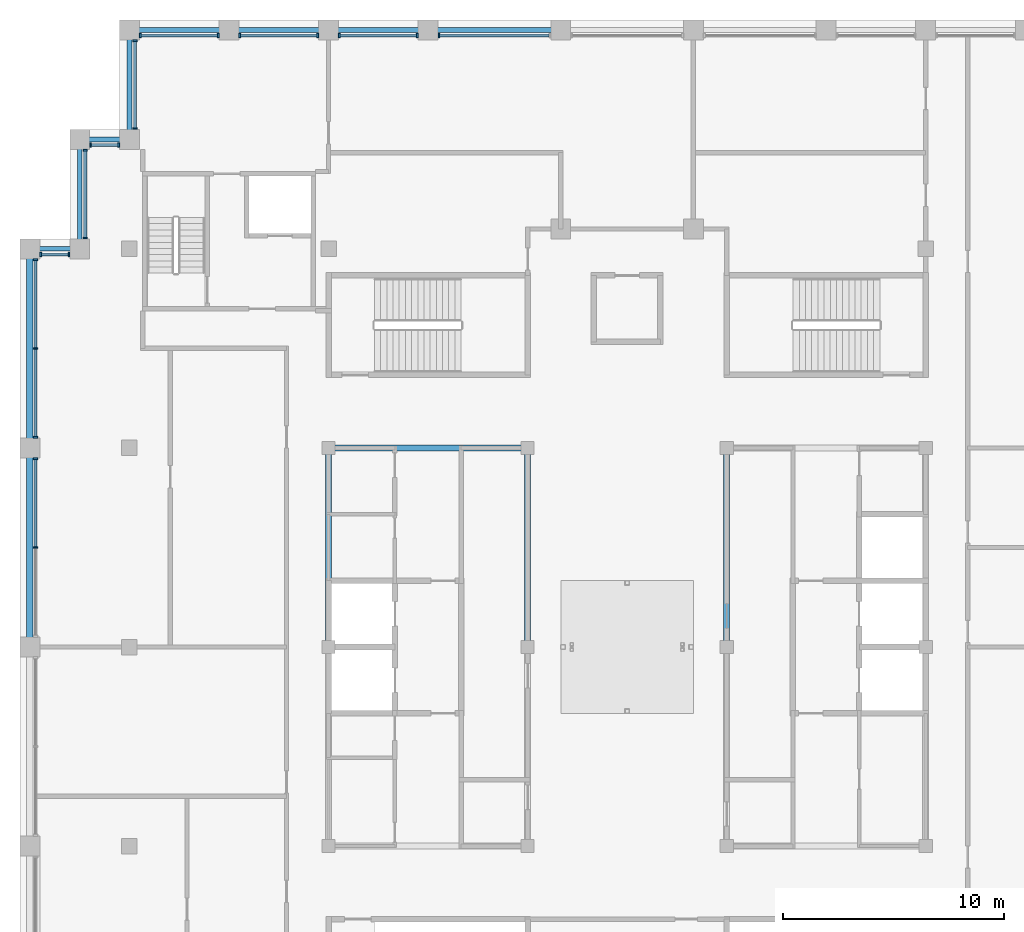
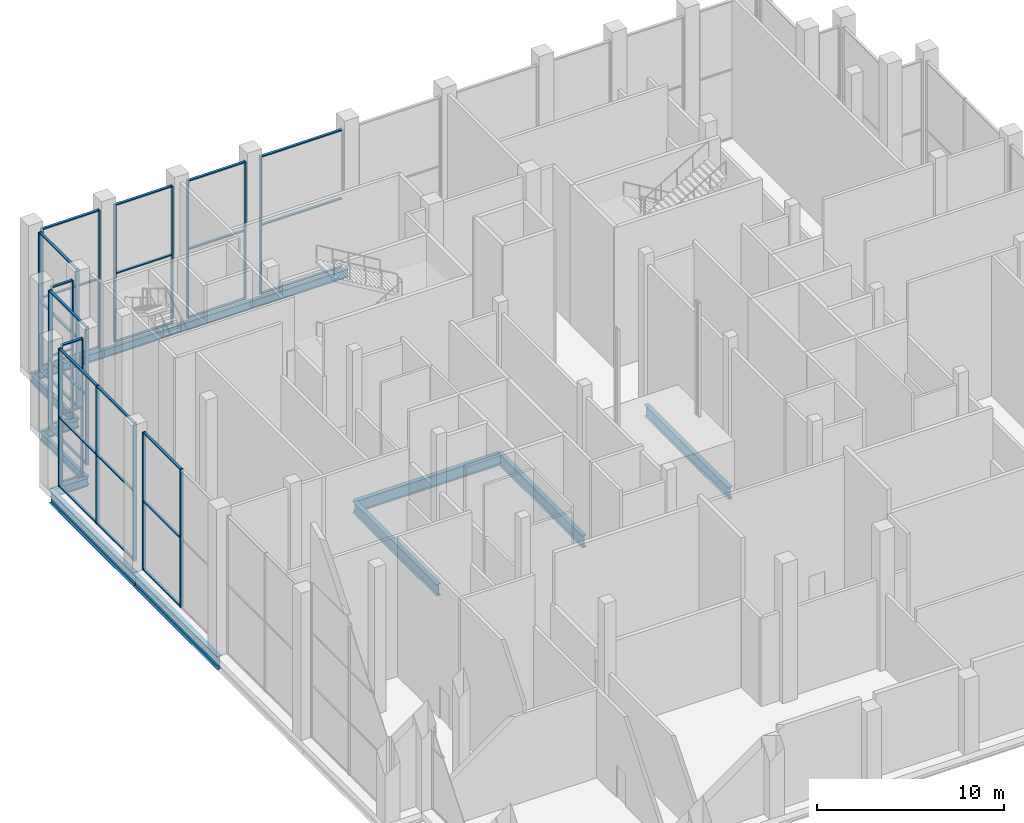
# One storey, part 5 of 16: 53 members, 14 beams, 10 elements without a shape of their own.
"""IFC4 building model written with IfcOpenShell, lengths in metres."""

from ifc_helpers import new_model, si_unit, direction, frame, origin, origin_2d, place, context, subcontext, project, spatial, rectangle, i_section, extrude, material, layer, layer_set, material_profile, profile_set, type_object, element, aggregate, save


model = new_model("IFC4")

# Units and contexts
model_context = context("Model", 3, precision=1e-05, world=origin(), true_north=direction((0.0, 1.0)))
body_context = subcontext(model_context, "Body", "Model", "MODEL_VIEW")
ifc_project = project(units=[si_unit("LENGTHUNIT", "METRE"), si_unit("AREAUNIT", "SQUARE_METRE"), si_unit("VOLUMEUNIT", "CUBIC_METRE"), si_unit("PLANEANGLEUNIT", "RADIAN"), si_unit("MASSUNIT", "GRAM", prefix="KILO")], contexts=[model_context])

# Site, building, storey
site_placement = place(None, origin())
site = spatial("IfcSite", under=ifc_project, at=site_placement, CompositionType="ELEMENT")
building_placement = place(site_placement, origin())
building = spatial("IfcBuilding", under=site, at=building_placement, Name="Corbelhall Arena Tower", CompositionType="ELEMENT")
storey_placement = place(building_placement, frame((0.0, 0.0, 366.0)))
storey = spatial("IfcBuildingStorey", under=building, at=storey_placement, Name="L80", CompositionType="ELEMENT", Elevation=366.0)

# Curtain wall, members
ifc_material_1 = material(Name="Aluminium black anodised", Category="aluminium")
ifc_layer = layer(ifc_material_1, 0.219970703125)
ifc_layer_set = layer_set([ifc_layer], Name="EV-CW2 Damper hall glazing")
curtain_wall_type = type_object("IfcCurtainWallType", Name="EV-CW2 Damper hall glazing", PredefinedType="NOTDEFINED", material=ifc_layer_set)
curtain_wall_1_placement = place(storey_placement, origin())
curtain_wall_1 = element("IfcCurtainWall", 1, at=curtain_wall_1_placement, inside=storey, type_object=curtain_wall_type, Name="Curtain wall CW2", PredefinedType="NOTDEFINED")
ifc_material_profile_1 = material_profile(ifc_material_1, rectangle(XDim=0.199951171875, YDim=0.074951171875, at=origin_2d()))
ifc_profile_set_1 = profile_set([ifc_material_profile_1], Name="Aluminium black anodised")
member_type_1 = type_object("IfcMemberType", Name="EV-CW2-MULLION", PredefinedType="MULLION", material=ifc_profile_set_1)
member_1_placement = place(storey_placement, frame((-24.5, 22.46240234375, 0.0), z_axis=(0.0, 0.0, 1.0), x_axis=(1.0, 0.0, 0.0)))
member_1 = element("IfcMember", 2, at=member_1_placement, type_object=member_type_1, Name="CW2 mullion 1", PredefinedType="MULLION", context=body_context, shape_type="SweptSolid", body=[
    extrude(rectangle(XDim=0.199951171875, YDim=0.074951171875, at=origin_2d()), origin(), (0.0, 0.0, 1.0), 8.99951171875),
])
member_2_placement = place(storey_placement, frame((-24.5, 18.487548828125, 0.0), z_axis=(0.0, 0.0, 1.0), x_axis=(1.0, 0.0, 0.0)))
member_2 = element("IfcMember", 3, at=member_2_placement, type_object=member_type_1, Name="CW2 mullion 2", PredefinedType="MULLION", context=body_context, shape_type="SweptSolid", body=[
    extrude(rectangle(XDim=0.199951171875, YDim=0.074951171875, at=origin_2d()), origin(), (0.0, 0.0, 1.0), 8.99951171875),
])

curtain_wall_2_placement = place(storey_placement, origin())
curtain_wall_2 = element("IfcCurtainWall", 4, at=curtain_wall_2_placement, inside=storey, type_object=curtain_wall_type, Name="Curtain wall CW2B", PredefinedType="NOTDEFINED")
member_3_placement = place(storey_placement, frame((-25.237548828125, 17.75, 0.0), z_axis=(0.0, 0.0, 1.0), x_axis=(0.0, -1.0, 0.0)))
member_3 = element("IfcMember", 5, at=member_3_placement, type_object=member_type_1, Name="CW2B mullion 1", PredefinedType="MULLION", context=body_context, shape_type="SweptSolid", body=[
    extrude(rectangle(XDim=0.199951171875, YDim=0.074951171875, at=origin_2d()), origin(), (0.0, 0.0, 1.0), 8.99951171875),
])
member_4_placement = place(storey_placement, frame((-26.512451171875, 17.75, 0.0), z_axis=(0.0, 0.0, 1.0), x_axis=(0.0, -1.0, 0.0)))
member_4 = element("IfcMember", 6, at=member_4_placement, type_object=member_type_1, Name="CW2B mullion 2", PredefinedType="MULLION", context=body_context, shape_type="SweptSolid", body=[
    extrude(rectangle(XDim=0.199951171875, YDim=0.074951171875, at=origin_2d()), origin(), (0.0, 0.0, 1.0), 8.99951171875),
])

curtain_wall_3_placement = place(storey_placement, origin())
curtain_wall_3 = element("IfcCurtainWall", 7, at=curtain_wall_3_placement, inside=storey, type_object=curtain_wall_type, Name="Curtain wall CW2", PredefinedType="NOTDEFINED")
member_5_placement = place(storey_placement, frame((-26.75, 17.512451171875, 0.0), z_axis=(0.0, 0.0, 1.0), x_axis=(1.0, 0.0, 0.0)))
member_5 = element("IfcMember", 8, at=member_5_placement, type_object=member_type_1, Name="CW2 mullion 1", PredefinedType="MULLION", context=body_context, shape_type="SweptSolid", body=[
    extrude(rectangle(XDim=0.199951171875, YDim=0.074951171875, at=origin_2d()), origin(), (0.0, 0.0, 1.0), 8.99951171875),
])
member_6_placement = place(storey_placement, frame((-26.75, 13.5, 0.0), z_axis=(0.0, 0.0, 1.0), x_axis=(1.0, 0.0, 0.0)))
member_6 = element("IfcMember", 9, at=member_6_placement, type_object=member_type_1, Name="CW2 mullion 2", PredefinedType="MULLION", context=body_context, shape_type="SweptSolid", body=[
    extrude(rectangle(XDim=0.199951171875, YDim=0.074951171875, at=origin_2d()), origin(), (0.0, 0.0, 1.0), 8.99951171875),
])
member_7_placement = place(storey_placement, frame((-26.75, 9.487548828125, 0.0), z_axis=(0.0, 0.0, 1.0), x_axis=(1.0, 0.0, 0.0)))
member_7 = element("IfcMember", 10, at=member_7_placement, type_object=member_type_1, Name="CW2 mullion 3", PredefinedType="MULLION", context=body_context, shape_type="SweptSolid", body=[
    extrude(rectangle(XDim=0.199951171875, YDim=0.074951171875, at=origin_2d()), origin(), (0.0, 0.0, 1.0), 8.99951171875),
])

curtain_wall_4_placement = place(storey_placement, origin())
curtain_wall_4 = element("IfcCurtainWall", 11, at=curtain_wall_4_placement, inside=storey, type_object=curtain_wall_type, Name="Curtain wall CW2", PredefinedType="NOTDEFINED")
member_8_placement = place(storey_placement, frame((-26.75, 8.512451171875, 0.0), z_axis=(0.0, 0.0, 1.0), x_axis=(1.0, 0.0, 0.0)))
member_8 = element("IfcMember", 12, at=member_8_placement, type_object=member_type_1, Name="CW2 mullion 1", PredefinedType="MULLION", context=body_context, shape_type="SweptSolid", body=[
    extrude(rectangle(XDim=0.199951171875, YDim=0.074951171875, at=origin_2d()), origin(), (0.0, 0.0, 1.0), 8.99951171875),
])
member_9_placement = place(storey_placement, frame((-26.75, 4.5, 0.0), z_axis=(0.0, 0.0, 1.0), x_axis=(1.0, 0.0, 0.0)))
member_9 = element("IfcMember", 13, at=member_9_placement, type_object=member_type_1, Name="CW2 mullion 2", PredefinedType="MULLION", context=body_context, shape_type="SweptSolid", body=[
    extrude(rectangle(XDim=0.199951171875, YDim=0.074951171875, at=origin_2d()), origin(), (0.0, 0.0, 1.0), 8.99951171875),
])

# Curtain wall, member
curtain_wall_5_placement = place(storey_placement, origin())
curtain_wall_5 = element("IfcCurtainWall", 14, at=curtain_wall_5_placement, inside=storey, type_object=curtain_wall_type, Name="Curtain wall CW2C", PredefinedType="NOTDEFINED")
member_10_placement = place(storey_placement, frame((-8.512451171875, 27.64990234375, 0.0), z_axis=(0.0, 0.0, 1.0), x_axis=(0.0, -1.0, 0.0)))
member_10 = element("IfcMember", 15, at=member_10_placement, type_object=member_type_1, Name="CW2C mullion 2", PredefinedType="MULLION", context=body_context, shape_type="SweptSolid", body=[
    extrude(rectangle(XDim=0.199951171875, YDim=0.074951171875, at=origin_2d()), origin(), (0.0, 0.0, 1.0), 8.99951171875),
])

# Curtain wall, members
curtain_wall_6_placement = place(storey_placement, origin())
curtain_wall_6 = element("IfcCurtainWall", 16, at=curtain_wall_6_placement, inside=storey, type_object=curtain_wall_type, Name="Curtain wall CW2A", PredefinedType="NOTDEFINED")
member_11_placement = place(storey_placement, frame((-9.487548828125, 27.64990234375, 0.0), z_axis=(0.0, 0.0, 1.0), x_axis=(0.0, -1.0, 0.0)))
member_11 = element("IfcMember", 17, at=member_11_placement, type_object=member_type_1, Name="CW2A mullion 1", PredefinedType="MULLION", context=body_context, shape_type="SweptSolid", body=[
    extrude(rectangle(XDim=0.199951171875, YDim=0.074951171875, at=origin_2d()), origin(), (0.0, 0.0, 1.0), 8.99951171875),
])
member_12_placement = place(storey_placement, frame((-13.012451171875, 27.64990234375, 0.0), z_axis=(0.0, 0.0, 1.0), x_axis=(0.0, -1.0, 0.0)))
member_12 = element("IfcMember", 18, at=member_12_placement, type_object=member_type_1, Name="CW2A mullion 2", PredefinedType="MULLION", context=body_context, shape_type="SweptSolid", body=[
    extrude(rectangle(XDim=0.199951171875, YDim=0.074951171875, at=origin_2d()), origin(), (0.0, 0.0, 1.0), 8.99951171875),
])

curtain_wall_7_placement = place(storey_placement, origin())
curtain_wall_7 = element("IfcCurtainWall", 19, at=curtain_wall_7_placement, inside=storey, type_object=curtain_wall_type, Name="Curtain wall CW2A", PredefinedType="NOTDEFINED")
member_13_placement = place(storey_placement, frame((-13.987548828125, 27.64990234375, 0.0), z_axis=(0.0, 0.0, 1.0), x_axis=(0.0, -1.0, 0.0)))
member_13 = element("IfcMember", 20, at=member_13_placement, type_object=member_type_1, Name="CW2A mullion 1", PredefinedType="MULLION", context=body_context, shape_type="SweptSolid", body=[
    extrude(rectangle(XDim=0.199951171875, YDim=0.074951171875, at=origin_2d()), origin(), (0.0, 0.0, 1.0), 8.99951171875),
])
member_14_placement = place(storey_placement, frame((-17.512451171875, 27.64990234375, 0.0), z_axis=(0.0, 0.0, 1.0), x_axis=(0.0, -1.0, 0.0)))
member_14 = element("IfcMember", 21, at=member_14_placement, type_object=member_type_1, Name="CW2A mullion 2", PredefinedType="MULLION", context=body_context, shape_type="SweptSolid", body=[
    extrude(rectangle(XDim=0.199951171875, YDim=0.074951171875, at=origin_2d()), origin(), (0.0, 0.0, 1.0), 8.99951171875),
])

curtain_wall_8_placement = place(storey_placement, origin())
curtain_wall_8 = element("IfcCurtainWall", 22, at=curtain_wall_8_placement, inside=storey, type_object=curtain_wall_type, Name="Curtain wall CW2A", PredefinedType="NOTDEFINED")
member_15_placement = place(storey_placement, frame((-18.487548828125, 27.64990234375, 0.0), z_axis=(0.0, 0.0, 1.0), x_axis=(0.0, -1.0, 0.0)))
member_15 = element("IfcMember", 23, at=member_15_placement, type_object=member_type_1, Name="CW2A mullion 1", PredefinedType="MULLION", context=body_context, shape_type="SweptSolid", body=[
    extrude(rectangle(XDim=0.199951171875, YDim=0.074951171875, at=origin_2d()), origin(), (0.0, 0.0, 1.0), 8.99951171875),
])
member_16_placement = place(storey_placement, frame((-22.012451171875, 27.64990234375, 0.0), z_axis=(0.0, 0.0, 1.0), x_axis=(0.0, -1.0, 0.0)))
member_16 = element("IfcMember", 24, at=member_16_placement, type_object=member_type_1, Name="CW2A mullion 2", PredefinedType="MULLION", context=body_context, shape_type="SweptSolid", body=[
    extrude(rectangle(XDim=0.199951171875, YDim=0.074951171875, at=origin_2d()), origin(), (0.0, 0.0, 1.0), 8.99951171875),
])

curtain_wall_9_placement = place(storey_placement, origin())
curtain_wall_9 = element("IfcCurtainWall", 25, at=curtain_wall_9_placement, inside=storey, type_object=curtain_wall_type, Name="Curtain wall CW2", PredefinedType="NOTDEFINED")
member_17_placement = place(storey_placement, frame((-22.25, 27.41259765625, 0.0), z_axis=(0.0, 0.0, 1.0), x_axis=(1.0, 0.0, 0.0)))
member_17 = element("IfcMember", 26, at=member_17_placement, type_object=member_type_1, Name="CW2 mullion 1", PredefinedType="MULLION", context=body_context, shape_type="SweptSolid", body=[
    extrude(rectangle(XDim=0.199951171875, YDim=0.074951171875, at=origin_2d()), origin(), (0.0, 0.0, 1.0), 8.99951171875),
])
member_18_placement = place(storey_placement, frame((-22.25, 23.4375, 0.0), z_axis=(0.0, 0.0, 1.0), x_axis=(1.0, 0.0, 0.0)))
member_18 = element("IfcMember", 27, at=member_18_placement, type_object=member_type_1, Name="CW2 mullion 2", PredefinedType="MULLION", context=body_context, shape_type="SweptSolid", body=[
    extrude(rectangle(XDim=0.199951171875, YDim=0.074951171875, at=origin_2d()), origin(), (0.0, 0.0, 1.0), 8.99951171875),
])

curtain_wall_10_placement = place(storey_placement, origin())
curtain_wall_10 = element("IfcCurtainWall", 28, at=curtain_wall_10_placement, inside=storey, type_object=curtain_wall_type, Name="Curtain wall CW2B", PredefinedType="NOTDEFINED")
member_19_placement = place(storey_placement, frame((-22.987548828125, 22.699951171875, 0.0), z_axis=(0.0, 0.0, 1.0), x_axis=(0.0, -1.0, 0.0)))
member_19 = element("IfcMember", 29, at=member_19_placement, type_object=member_type_1, Name="CW2B mullion 1", PredefinedType="MULLION", context=body_context, shape_type="SweptSolid", body=[
    extrude(rectangle(XDim=0.199951171875, YDim=0.074951171875, at=origin_2d()), origin(), (0.0, 0.0, 1.0), 8.99951171875),
])
member_20_placement = place(storey_placement, frame((-24.262451171875, 22.699951171875, 0.0), z_axis=(0.0, 0.0, 1.0), x_axis=(0.0, -1.0, 0.0)))
member_20 = element("IfcMember", 30, at=member_20_placement, type_object=member_type_1, Name="CW2B mullion 2", PredefinedType="MULLION", context=body_context, shape_type="SweptSolid", body=[
    extrude(rectangle(XDim=0.199951171875, YDim=0.074951171875, at=origin_2d()), origin(), (0.0, 0.0, 1.0), 8.99951171875),
])

# Member
ifc_material_profile_2 = material_profile(ifc_material_1, rectangle(XDim=0.14990234375, YDim=0.074951171875, at=origin_2d()))
ifc_profile_set_2 = profile_set([ifc_material_profile_2], Name="Aluminium black anodised")
member_type_2 = type_object("IfcMemberType", Name="EV-CW2-TRANSOM", PredefinedType="USERDEFINED", material=ifc_profile_set_2)
member_21_placement = place(storey_placement, frame((-24.5, 22.425048828125, 0.03759765625), z_axis=(0.0, -1.0, 0.0), x_axis=(1.0, 0.0, 0.0)))
member_21 = element("IfcMember", 31, at=member_21_placement, type_object=member_type_2, Name="CW2 transom 1.1", ObjectType="transom", PredefinedType="USERDEFINED", context=body_context, shape_type="SweptSolid", body=[
    extrude(rectangle(XDim=0.14990234375, YDim=0.074951171875, at=origin_2d()), origin(), (0.0, 0.0, 1.0), 3.900146484375),
])

member_22_placement = place(storey_placement, frame((-24.5, 22.425048828125, 4.499755859375), z_axis=(0.0, -1.0, 0.0), x_axis=(1.0, 0.0, 0.0)))
member_22 = element("IfcMember", 32, at=member_22_placement, type_object=member_type_2, Name="CW2 transom 1.2", ObjectType="transom", PredefinedType="USERDEFINED", context=body_context, shape_type="SweptSolid", body=[
    extrude(rectangle(XDim=0.14990234375, YDim=0.074951171875, at=origin_2d()), origin(), (0.0, 0.0, 1.0), 3.900146484375),
])

member_23_placement = place(storey_placement, frame((-24.5, 22.425048828125, 8.962158203125), z_axis=(0.0, -1.0, 0.0), x_axis=(1.0, 0.0, 0.0)))
member_23 = element("IfcMember", 33, at=member_23_placement, type_object=member_type_2, Name="CW2 transom 1.3", ObjectType="transom", PredefinedType="USERDEFINED", context=body_context, shape_type="SweptSolid", body=[
    extrude(rectangle(XDim=0.14990234375, YDim=0.074951171875, at=origin_2d()), origin(), (0.0, 0.0, 1.0), 3.900146484375),
])

aggregate(curtain_wall_1, [member_1, member_2, member_21, member_22, member_23])

member_24_placement = place(storey_placement, frame((-25.27490234375, 17.75, 0.03759765625), z_axis=(-1.0, 0.0, 0.0), x_axis=(0.0, -1.0, 0.0)))
member_24 = element("IfcMember", 34, at=member_24_placement, type_object=member_type_2, Name="CW2B transom 1.1", ObjectType="transom", PredefinedType="USERDEFINED", context=body_context, shape_type="SweptSolid", body=[
    extrude(rectangle(XDim=0.14990234375, YDim=0.074951171875, at=origin_2d()), origin(), (0.0, 0.0, 1.0), 1.2001953125),
])

member_25_placement = place(storey_placement, frame((-25.27490234375, 17.75, 4.499755859375), z_axis=(-1.0, 0.0, 0.0), x_axis=(0.0, -1.0, 0.0)))
member_25 = element("IfcMember", 35, at=member_25_placement, type_object=member_type_2, Name="CW2B transom 1.2", ObjectType="transom", PredefinedType="USERDEFINED", context=body_context, shape_type="SweptSolid", body=[
    extrude(rectangle(XDim=0.14990234375, YDim=0.074951171875, at=origin_2d()), origin(), (0.0, 0.0, 1.0), 1.2001953125),
])

member_26_placement = place(storey_placement, frame((-25.27490234375, 17.75, 8.962158203125), z_axis=(-1.0, 0.0, 0.0), x_axis=(0.0, -1.0, 0.0)))
member_26 = element("IfcMember", 36, at=member_26_placement, type_object=member_type_2, Name="CW2B transom 1.3", ObjectType="transom", PredefinedType="USERDEFINED", context=body_context, shape_type="SweptSolid", body=[
    extrude(rectangle(XDim=0.14990234375, YDim=0.074951171875, at=origin_2d()), origin(), (0.0, 0.0, 1.0), 1.2001953125),
])

aggregate(curtain_wall_2, [member_3, member_4, member_24, member_25, member_26])

member_27_placement = place(storey_placement, frame((-26.75, 17.47509765625, 0.03759765625), z_axis=(0.0, -1.0, 0.0), x_axis=(1.0, 0.0, 0.0)))
member_27 = element("IfcMember", 37, at=member_27_placement, type_object=member_type_2, Name="CW2 transom 1.1", ObjectType="transom", PredefinedType="USERDEFINED", context=body_context, shape_type="SweptSolid", body=[
    extrude(rectangle(XDim=0.14990234375, YDim=0.074951171875, at=origin_2d()), origin(), (0.0, 0.0, 1.0), 3.9375),
])

member_28_placement = place(storey_placement, frame((-26.75, 17.47509765625, 4.499755859375), z_axis=(0.0, -1.0, 0.0), x_axis=(1.0, 0.0, 0.0)))
member_28 = element("IfcMember", 38, at=member_28_placement, type_object=member_type_2, Name="CW2 transom 1.2", ObjectType="transom", PredefinedType="USERDEFINED", context=body_context, shape_type="SweptSolid", body=[
    extrude(rectangle(XDim=0.14990234375, YDim=0.074951171875, at=origin_2d()), origin(), (0.0, 0.0, 1.0), 3.9375),
])

member_29_placement = place(storey_placement, frame((-26.75, 17.47509765625, 8.962158203125), z_axis=(0.0, -1.0, 0.0), x_axis=(1.0, 0.0, 0.0)))
member_29 = element("IfcMember", 39, at=member_29_placement, type_object=member_type_2, Name="CW2 transom 1.3", ObjectType="transom", PredefinedType="USERDEFINED", context=body_context, shape_type="SweptSolid", body=[
    extrude(rectangle(XDim=0.14990234375, YDim=0.074951171875, at=origin_2d()), origin(), (0.0, 0.0, 1.0), 3.9375),
])

member_30_placement = place(storey_placement, frame((-26.75, 13.46240234375, 0.03759765625), z_axis=(0.0, -1.0, 0.0), x_axis=(1.0, 0.0, 0.0)))
member_30 = element("IfcMember", 40, at=member_30_placement, type_object=member_type_2, Name="CW2 transom 2.1", ObjectType="transom", PredefinedType="USERDEFINED", context=body_context, shape_type="SweptSolid", body=[
    extrude(rectangle(XDim=0.14990234375, YDim=0.074951171875, at=origin_2d()), origin(), (0.0, 0.0, 1.0), 3.9375),
])

member_31_placement = place(storey_placement, frame((-26.75, 13.46240234375, 4.499755859375), z_axis=(0.0, -1.0, 0.0), x_axis=(1.0, 0.0, 0.0)))
member_31 = element("IfcMember", 41, at=member_31_placement, type_object=member_type_2, Name="CW2 transom 2.2", ObjectType="transom", PredefinedType="USERDEFINED", context=body_context, shape_type="SweptSolid", body=[
    extrude(rectangle(XDim=0.14990234375, YDim=0.074951171875, at=origin_2d()), origin(), (0.0, 0.0, 1.0), 3.9375),
])

member_32_placement = place(storey_placement, frame((-26.75, 13.46240234375, 8.962158203125), z_axis=(0.0, -1.0, 0.0), x_axis=(1.0, 0.0, 0.0)))
member_32 = element("IfcMember", 42, at=member_32_placement, type_object=member_type_2, Name="CW2 transom 2.3", ObjectType="transom", PredefinedType="USERDEFINED", context=body_context, shape_type="SweptSolid", body=[
    extrude(rectangle(XDim=0.14990234375, YDim=0.074951171875, at=origin_2d()), origin(), (0.0, 0.0, 1.0), 3.9375),
])

aggregate(curtain_wall_3, [member_5, member_6, member_7, member_27, member_28, member_29, member_30, member_31, member_32])

member_33_placement = place(storey_placement, frame((-26.75, 8.47509765625, 0.03759765625), z_axis=(0.0, -1.0, 0.0), x_axis=(1.0, 0.0, 0.0)))
member_33 = element("IfcMember", 43, at=member_33_placement, type_object=member_type_2, Name="CW2 transom 1.1", ObjectType="transom", PredefinedType="USERDEFINED", context=body_context, shape_type="SweptSolid", body=[
    extrude(rectangle(XDim=0.14990234375, YDim=0.074951171875, at=origin_2d()), origin(), (0.0, 0.0, 1.0), 3.9375),
])

member_34_placement = place(storey_placement, frame((-26.75, 8.47509765625, 4.499755859375), z_axis=(0.0, -1.0, 0.0), x_axis=(1.0, 0.0, 0.0)))
member_34 = element("IfcMember", 44, at=member_34_placement, type_object=member_type_2, Name="CW2 transom 1.2", ObjectType="transom", PredefinedType="USERDEFINED", context=body_context, shape_type="SweptSolid", body=[
    extrude(rectangle(XDim=0.14990234375, YDim=0.074951171875, at=origin_2d()), origin(), (0.0, 0.0, 1.0), 3.9375),
])

member_35_placement = place(storey_placement, frame((-26.75, 8.47509765625, 8.962158203125), z_axis=(0.0, -1.0, 0.0), x_axis=(1.0, 0.0, 0.0)))
member_35 = element("IfcMember", 45, at=member_35_placement, type_object=member_type_2, Name="CW2 transom 1.3", ObjectType="transom", PredefinedType="USERDEFINED", context=body_context, shape_type="SweptSolid", body=[
    extrude(rectangle(XDim=0.14990234375, YDim=0.074951171875, at=origin_2d()), origin(), (0.0, 0.0, 1.0), 3.9375),
])

aggregate(curtain_wall_4, [member_8, member_9, member_33, member_34, member_35])

member_36_placement = place(storey_placement, frame((-3.52490234375, 27.64990234375, 0.03759765625), z_axis=(-1.0, 0.0, 0.0), x_axis=(0.0, -1.0, 0.0)))
member_36 = element("IfcMember", 46, at=member_36_placement, type_object=member_type_2, Name="CW2C transom 1.1", ObjectType="transom", PredefinedType="USERDEFINED", context=body_context, shape_type="SweptSolid", body=[
    extrude(rectangle(XDim=0.14990234375, YDim=0.074951171875, at=origin_2d()), origin(), (0.0, 0.0, 1.0), 4.9501953125),
])

member_37_placement = place(storey_placement, frame((-3.52490234375, 27.64990234375, 4.499755859375), z_axis=(-1.0, 0.0, 0.0), x_axis=(0.0, -1.0, 0.0)))
member_37 = element("IfcMember", 47, at=member_37_placement, type_object=member_type_2, Name="CW2C transom 1.2", ObjectType="transom", PredefinedType="USERDEFINED", context=body_context, shape_type="SweptSolid", body=[
    extrude(rectangle(XDim=0.14990234375, YDim=0.074951171875, at=origin_2d()), origin(), (0.0, 0.0, 1.0), 4.9501953125),
])

member_38_placement = place(storey_placement, frame((-3.52490234375, 27.64990234375, 8.962158203125), z_axis=(-1.0, 0.0, 0.0), x_axis=(0.0, -1.0, 0.0)))
member_38 = element("IfcMember", 48, at=member_38_placement, type_object=member_type_2, Name="CW2C transom 1.3", ObjectType="transom", PredefinedType="USERDEFINED", context=body_context, shape_type="SweptSolid", body=[
    extrude(rectangle(XDim=0.14990234375, YDim=0.074951171875, at=origin_2d()), origin(), (0.0, 0.0, 1.0), 4.9501953125),
])

aggregate(curtain_wall_5, [member_10, member_36, member_37, member_38])

member_39_placement = place(storey_placement, frame((-9.52490234375, 27.64990234375, 0.03759765625), z_axis=(-1.0, 0.0, 0.0), x_axis=(0.0, -1.0, 0.0)))
member_39 = element("IfcMember", 49, at=member_39_placement, type_object=member_type_2, Name="CW2A transom 1.1", ObjectType="transom", PredefinedType="USERDEFINED", context=body_context, shape_type="SweptSolid", body=[
    extrude(rectangle(XDim=0.14990234375, YDim=0.074951171875, at=origin_2d()), origin(), (0.0, 0.0, 1.0), 3.4501953125),
])

member_40_placement = place(storey_placement, frame((-9.52490234375, 27.64990234375, 4.499755859375), z_axis=(-1.0, 0.0, 0.0), x_axis=(0.0, -1.0, 0.0)))
member_40 = element("IfcMember", 50, at=member_40_placement, type_object=member_type_2, Name="CW2A transom 1.2", ObjectType="transom", PredefinedType="USERDEFINED", context=body_context, shape_type="SweptSolid", body=[
    extrude(rectangle(XDim=0.14990234375, YDim=0.074951171875, at=origin_2d()), origin(), (0.0, 0.0, 1.0), 3.4501953125),
])

member_41_placement = place(storey_placement, frame((-9.52490234375, 27.64990234375, 8.962158203125), z_axis=(-1.0, 0.0, 0.0), x_axis=(0.0, -1.0, 0.0)))
member_41 = element("IfcMember", 51, at=member_41_placement, type_object=member_type_2, Name="CW2A transom 1.3", ObjectType="transom", PredefinedType="USERDEFINED", context=body_context, shape_type="SweptSolid", body=[
    extrude(rectangle(XDim=0.14990234375, YDim=0.074951171875, at=origin_2d()), origin(), (0.0, 0.0, 1.0), 3.4501953125),
])

aggregate(curtain_wall_6, [member_11, member_12, member_39, member_40, member_41])

member_42_placement = place(storey_placement, frame((-14.02490234375, 27.64990234375, 0.03759765625), z_axis=(-1.0, 0.0, 0.0), x_axis=(0.0, -1.0, 0.0)))
member_42 = element("IfcMember", 52, at=member_42_placement, type_object=member_type_2, Name="CW2A transom 1.1", ObjectType="transom", PredefinedType="USERDEFINED", context=body_context, shape_type="SweptSolid", body=[
    extrude(rectangle(XDim=0.14990234375, YDim=0.074951171875, at=origin_2d()), origin(), (0.0, 0.0, 1.0), 3.4501953125),
])

member_43_placement = place(storey_placement, frame((-14.02490234375, 27.64990234375, 4.499755859375), z_axis=(-1.0, 0.0, 0.0), x_axis=(0.0, -1.0, 0.0)))
member_43 = element("IfcMember", 53, at=member_43_placement, type_object=member_type_2, Name="CW2A transom 1.2", ObjectType="transom", PredefinedType="USERDEFINED", context=body_context, shape_type="SweptSolid", body=[
    extrude(rectangle(XDim=0.14990234375, YDim=0.074951171875, at=origin_2d()), origin(), (0.0, 0.0, 1.0), 3.4501953125),
])

member_44_placement = place(storey_placement, frame((-14.02490234375, 27.64990234375, 8.962158203125), z_axis=(-1.0, 0.0, 0.0), x_axis=(0.0, -1.0, 0.0)))
member_44 = element("IfcMember", 54, at=member_44_placement, type_object=member_type_2, Name="CW2A transom 1.3", ObjectType="transom", PredefinedType="USERDEFINED", context=body_context, shape_type="SweptSolid", body=[
    extrude(rectangle(XDim=0.14990234375, YDim=0.074951171875, at=origin_2d()), origin(), (0.0, 0.0, 1.0), 3.4501953125),
])

aggregate(curtain_wall_7, [member_13, member_14, member_42, member_43, member_44])

member_45_placement = place(storey_placement, frame((-18.52490234375, 27.64990234375, 0.03759765625), z_axis=(-1.0, 0.0, 0.0), x_axis=(0.0, -1.0, 0.0)))
member_45 = element("IfcMember", 55, at=member_45_placement, type_object=member_type_2, Name="CW2A transom 1.1", ObjectType="transom", PredefinedType="USERDEFINED", context=body_context, shape_type="SweptSolid", body=[
    extrude(rectangle(XDim=0.14990234375, YDim=0.074951171875, at=origin_2d()), origin(), (0.0, 0.0, 1.0), 3.4501953125),
])

member_46_placement = place(storey_placement, frame((-18.52490234375, 27.64990234375, 4.499755859375), z_axis=(-1.0, 0.0, 0.0), x_axis=(0.0, -1.0, 0.0)))
member_46 = element("IfcMember", 56, at=member_46_placement, type_object=member_type_2, Name="CW2A transom 1.2", ObjectType="transom", PredefinedType="USERDEFINED", context=body_context, shape_type="SweptSolid", body=[
    extrude(rectangle(XDim=0.14990234375, YDim=0.074951171875, at=origin_2d()), origin(), (0.0, 0.0, 1.0), 3.4501953125),
])

member_47_placement = place(storey_placement, frame((-18.52490234375, 27.64990234375, 8.962158203125), z_axis=(-1.0, 0.0, 0.0), x_axis=(0.0, -1.0, 0.0)))
member_47 = element("IfcMember", 57, at=member_47_placement, type_object=member_type_2, Name="CW2A transom 1.3", ObjectType="transom", PredefinedType="USERDEFINED", context=body_context, shape_type="SweptSolid", body=[
    extrude(rectangle(XDim=0.14990234375, YDim=0.074951171875, at=origin_2d()), origin(), (0.0, 0.0, 1.0), 3.4501953125),
])

aggregate(curtain_wall_8, [member_15, member_16, member_45, member_46, member_47])

member_48_placement = place(storey_placement, frame((-22.25, 27.375, 0.03759765625), z_axis=(0.0, -1.0, 0.0), x_axis=(1.0, 0.0, 0.0)))
member_48 = element("IfcMember", 58, at=member_48_placement, type_object=member_type_2, Name="CW2 transom 1.1", ObjectType="transom", PredefinedType="USERDEFINED", context=body_context, shape_type="SweptSolid", body=[
    extrude(rectangle(XDim=0.14990234375, YDim=0.074951171875, at=origin_2d()), origin(), (0.0, 0.0, 1.0), 3.89990234375),
])

member_49_placement = place(storey_placement, frame((-22.25, 27.375, 4.499755859375), z_axis=(0.0, -1.0, 0.0), x_axis=(1.0, 0.0, 0.0)))
member_49 = element("IfcMember", 59, at=member_49_placement, type_object=member_type_2, Name="CW2 transom 1.2", ObjectType="transom", PredefinedType="USERDEFINED", context=body_context, shape_type="SweptSolid", body=[
    extrude(rectangle(XDim=0.14990234375, YDim=0.074951171875, at=origin_2d()), origin(), (0.0, 0.0, 1.0), 3.89990234375),
])

member_50_placement = place(storey_placement, frame((-22.25, 27.375, 8.962158203125), z_axis=(0.0, -1.0, 0.0), x_axis=(1.0, 0.0, 0.0)))
member_50 = element("IfcMember", 60, at=member_50_placement, type_object=member_type_2, Name="CW2 transom 1.3", ObjectType="transom", PredefinedType="USERDEFINED", context=body_context, shape_type="SweptSolid", body=[
    extrude(rectangle(XDim=0.14990234375, YDim=0.074951171875, at=origin_2d()), origin(), (0.0, 0.0, 1.0), 3.89990234375),
])

aggregate(curtain_wall_9, [member_17, member_18, member_48, member_49, member_50])

member_51_placement = place(storey_placement, frame((-23.02490234375, 22.699951171875, 0.03759765625), z_axis=(-1.0, 0.0, 0.0), x_axis=(0.0, -1.0, 0.0)))
member_51 = element("IfcMember", 61, at=member_51_placement, type_object=member_type_2, Name="CW2B transom 1.1", ObjectType="transom", PredefinedType="USERDEFINED", context=body_context, shape_type="SweptSolid", body=[
    extrude(rectangle(XDim=0.14990234375, YDim=0.074951171875, at=origin_2d()), origin(), (0.0, 0.0, 1.0), 1.2001953125),
])

member_52_placement = place(storey_placement, frame((-23.02490234375, 22.699951171875, 4.499755859375), z_axis=(-1.0, 0.0, 0.0), x_axis=(0.0, -1.0, 0.0)))
member_52 = element("IfcMember", 62, at=member_52_placement, type_object=member_type_2, Name="CW2B transom 1.2", ObjectType="transom", PredefinedType="USERDEFINED", context=body_context, shape_type="SweptSolid", body=[
    extrude(rectangle(XDim=0.14990234375, YDim=0.074951171875, at=origin_2d()), origin(), (0.0, 0.0, 1.0), 1.2001953125),
])

member_53_placement = place(storey_placement, frame((-23.02490234375, 22.699951171875, 8.962158203125), z_axis=(-1.0, 0.0, 0.0), x_axis=(0.0, -1.0, 0.0)))
member_53 = element("IfcMember", 63, at=member_53_placement, type_object=member_type_2, Name="CW2B transom 1.3", ObjectType="transom", PredefinedType="USERDEFINED", context=body_context, shape_type="SweptSolid", body=[
    extrude(rectangle(XDim=0.14990234375, YDim=0.074951171875, at=origin_2d()), origin(), (0.0, 0.0, 1.0), 1.2001953125),
])

aggregate(curtain_wall_10, [member_19, member_20, member_51, member_52, member_53])

# Beams
ifc_material_2 = material(Name="Steel ASTM A992 Gr50", Category="steel")
ifc_material_profile_3 = material_profile(ifc_material_2, i_section(OverallWidth=0.2666015625, OverallDepth=0.761962890625, WebThickness=0.014404296875, FlangeThickness=0.021484375, at=origin_2d()))
ifc_profile_set_3 = profile_set([ifc_material_profile_3], Name="Steel ASTM A992 Gr50")
beam_type_1 = type_object("IfcBeamType", Name="ST-BEAM-W30x116", PredefinedType="BEAM", material=ifc_profile_set_3)
for number, where, z_axis, x_axis, name in (
    (64, (-13.5, 0.0, -0.781494140625), (0.0, 1.0, 0.0), (-1.0, 0.0, 0.0), "Beam CEW 2"),
    (65, (-4.5, 0.0, -0.781494140625), (0.0, 1.0, 0.0), (-1.0, 0.0, 0.0), "Beam CEW 4"),
    (66, (-13.5, 9.0, -0.781494140625), (1.0, 0.0, 0.0), (0.0, 1.0, 0.0), "Beam CEW 6"),
    (67, (4.5, 0.0, -0.781494140625), (0.0, 1.0, 0.0), (-1.0, 0.0, 0.0), "Beam CEE 8"),
):
    element("IfcBeam", number, at=place(storey_placement, frame(where, z_axis=z_axis, x_axis=x_axis)), inside=storey, type_object=beam_type_1, Name=name, PredefinedType="BEAM", context=body_context, shape_type="SweptSolid", body=[
        extrude(i_section(OverallWidth=0.2666015625, OverallDepth=0.761962890625, WebThickness=0.014404296875, FlangeThickness=0.021484375, at=origin_2d()), origin(), (0.0, 0.0, 1.0), 9.0),
    ])
ifc_material_profile_4 = material_profile(ifc_material_2, i_section(OverallWidth=0.2099609375, OverallDepth=0.535888671875, WebThickness=0.010986328125, FlangeThickness=0.017333984375, at=origin_2d()))
ifc_profile_set_4 = profile_set([ifc_material_profile_4], Name="Steel ASTM A992 Gr50")
beam_type_2 = type_object("IfcBeamType", Name="ST-SPANDREL-W21x68", PredefinedType="SPANDREL", material=ifc_profile_set_4)
beam_1_placement = place(storey_placement, frame((-9.0, 27.89990234375, -0.66845703125), z_axis=(1.0, 0.0, 0.0), x_axis=(0.0, 1.0, 0.0)))
element("IfcBeam", 68, at=beam_1_placement, inside=storey, type_object=beam_type_2, Name="Beam SP 12", PredefinedType="SPANDREL", context=body_context, shape_type="SweptSolid", body=[
    extrude(i_section(OverallWidth=0.2099609375, OverallDepth=0.535888671875, WebThickness=0.010986328125, FlangeThickness=0.017333984375, at=origin_2d()), origin(), (0.0, 0.0, 1.0), 6.0),
])
for number, where, z_axis, x_axis, name in (
    (69, (-13.5, 27.89990234375, -0.66845703125), (1.0, 0.0, 0.0), (0.0, 1.0, 0.0), "Beam SP 13"),
    (70, (-18.0, 27.89990234375, -0.66845703125), (1.0, 0.0, 0.0), (0.0, 1.0, 0.0), "Beam SP 14"),
    (71, (-22.5, 27.89990234375, -0.66845703125), (1.0, 0.0, 0.0), (0.0, 1.0, 0.0), "Beam SP 15"),
):
    element("IfcBeam", number, at=place(storey_placement, frame(where, z_axis=z_axis, x_axis=x_axis)), inside=storey, type_object=beam_type_2, Name=name, PredefinedType="SPANDREL", context=body_context, shape_type="SweptSolid", body=[
        extrude(i_section(OverallWidth=0.2099609375, OverallDepth=0.535888671875, WebThickness=0.010986328125, FlangeThickness=0.017333984375, at=origin_2d()), origin(), (0.0, 0.0, 1.0), 4.5),
    ])
beam_2_placement = place(storey_placement, frame((-27.0, 18.0, -0.66845703125), z_axis=(1.0, 0.0, 0.0), x_axis=(0.0, 1.0, 0.0)))
element("IfcBeam", 72, at=beam_2_placement, inside=storey, type_object=beam_type_2, Name="Beam SP 28", PredefinedType="SPANDREL", context=body_context, shape_type="SweptSolid", body=[
    extrude(i_section(OverallWidth=0.2099609375, OverallDepth=0.535888671875, WebThickness=0.010986328125, FlangeThickness=0.017333984375, at=origin_2d()), origin(), (0.0, 0.0, 1.0), 2.25),
])
beam_3_placement = place(storey_placement, frame((-22.5, 22.949951171875, -0.66845703125), z_axis=(0.0, 1.0, 0.0), x_axis=(-1.0, 0.0, 0.0)))
element("IfcBeam", 73, at=beam_3_placement, inside=storey, type_object=beam_type_2, Name="Beam SP 34", PredefinedType="SPANDREL", context=body_context, shape_type="SweptSolid", body=[
    extrude(i_section(OverallWidth=0.2099609375, OverallDepth=0.535888671875, WebThickness=0.010986328125, FlangeThickness=0.017333984375, at=origin_2d()), origin(), (0.0, 0.0, 1.0), 4.949951171875),
])
beam_4_placement = place(storey_placement, frame((-24.75, 22.949951171875, -0.66845703125), z_axis=(1.0, 0.0, 0.0), x_axis=(0.0, 1.0, 0.0)))
element("IfcBeam", 74, at=beam_4_placement, inside=storey, type_object=beam_type_2, Name="Beam SP 35", PredefinedType="SPANDREL", context=body_context, shape_type="SweptSolid", body=[
    extrude(i_section(OverallWidth=0.2099609375, OverallDepth=0.535888671875, WebThickness=0.010986328125, FlangeThickness=0.017333984375, at=origin_2d()), origin(), (0.0, 0.0, 1.0), 2.25),
])
beam_5_placement = place(storey_placement, frame((-24.75, 18.0, -0.66845703125), z_axis=(0.0, 1.0, 0.0), x_axis=(-1.0, 0.0, 0.0)))
element("IfcBeam", 75, at=beam_5_placement, inside=storey, type_object=beam_type_2, Name="Beam SP 36", PredefinedType="SPANDREL", context=body_context, shape_type="SweptSolid", body=[
    extrude(i_section(OverallWidth=0.2099609375, OverallDepth=0.535888671875, WebThickness=0.010986328125, FlangeThickness=0.017333984375, at=origin_2d()), origin(), (0.0, 0.0, 1.0), 4.949951171875),
])
ifc_material_profile_5 = material_profile(ifc_material_2, i_section(OverallWidth=0.2919921875, OverallDepth=0.845703125, WebThickness=0.015380859375, FlangeThickness=0.0244140625, at=origin_2d()))
ifc_profile_set_5 = profile_set([ifc_material_profile_5], Name="Steel ASTM A992 Gr50")
beam_type_3 = type_object("IfcBeamType", Name="ST-SPANDREL-W33x141", PredefinedType="SPANDREL", material=ifc_profile_set_5)
for number, where, z_axis, x_axis, name in (
    (76, (-27.0, 0.0, -0.8232421875), (0.0, 1.0, 0.0), (-1.0, 0.0, 0.0), "Beam SP 26"),
    (77, (-27.0, 9.0, -0.8232421875), (0.0, 1.0, 0.0), (-1.0, 0.0, 0.0), "Beam SP 27"),
):
    element("IfcBeam", number, at=place(storey_placement, frame(where, z_axis=z_axis, x_axis=x_axis)), inside=storey, type_object=beam_type_3, Name=name, PredefinedType="SPANDREL", context=body_context, shape_type="SweptSolid", body=[
        extrude(i_section(OverallWidth=0.2919921875, OverallDepth=0.845703125, WebThickness=0.015380859375, FlangeThickness=0.0244140625, at=origin_2d()), origin(), (0.0, 0.0, 1.0), 9.0),
    ])

save(model, "model.ifc")
